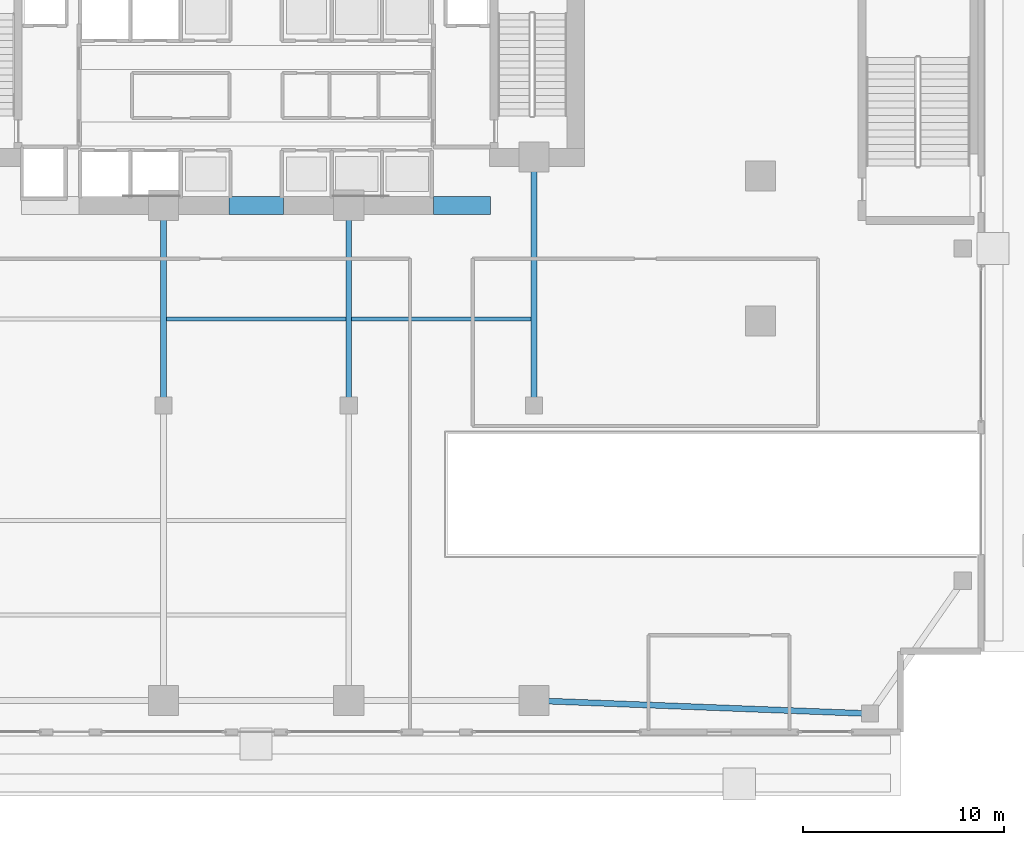
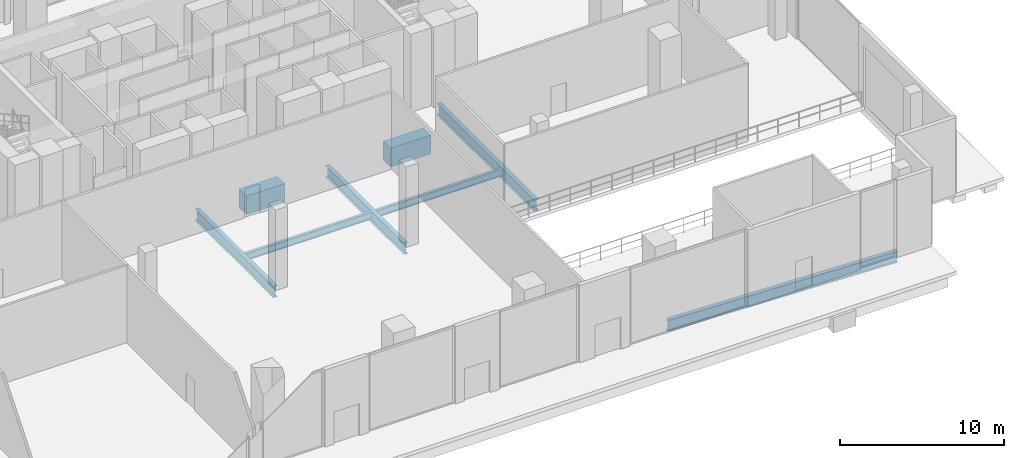
# One storey, part 11 of 39: 8 beams.
"""IFC4 building model written with IfcOpenShell, lengths in metres."""

import ifcopenshell
import ifcopenshell.guid

model = None  # the IFC model being written
_history = None  # IfcOwnerHistory: only IFC2X3 demands one
_inside = {}  # id of a spatial element -> (the spatial element, [elements in it])
_under = {}  # id of a project, library or spatial element -> (it, [spatial elements below it])
_declared = {}  # id of a project -> (the project, [libraries it declares])
_typed = {}  # id of a type object -> (the type object, [elements of that type])
_made_of = {}  # id of a material, layer set ... -> (it, [elements and type objects made of it])


def new_model(schema):
    """Start an empty IFC model of exactly this schema.

    Asked for "IFC4X3", IfcOpenShell would pick the latest addendum, in which some entities
    have other attributes; the version numbers below select the first issue.
    IFC2X3 requires an IfcOwnerHistory on every rooted entity: one is made here for all.
    """
    global model, _history
    if schema == "IFC4X3":
        model = ifcopenshell.file(schema_version=(4, 3, 0, 0))
    else:
        model = ifcopenshell.file(schema=schema)
    _inside.clear()
    _under.clear()
    _declared.clear()
    _typed.clear()
    _made_of.clear()
    _history = None
    if model.schema == "IFC2X3":
        org = make("IfcOrganization", Name="unknown")
        user = make(
            "IfcPersonAndOrganization",
            ThePerson=make("IfcPerson", FamilyName="unknown"),
            TheOrganization=org,
        )
        app = make(
            "IfcApplication",
            ApplicationDeveloper=org,
            Version="unknown",
            ApplicationFullName="unknown",
            ApplicationIdentifier="unknown",
        )
        _history = make(
            "IfcOwnerHistory",
            OwningUser=user,
            OwningApplication=app,
            ChangeAction="ADDED",
            CreationDate=0,
        )
    return model


def make(cls, **values):
    """One entity of the class cls with the attributes given. An attribute that is None is left unset."""
    return model.create_entity(
        cls, **{name: value for name, value in values.items() if value is not None}
    )


def rooted(cls, **values):
    """An entity with a GlobalId (a new one), such as an element, a storey or a relation."""
    return make(cls, GlobalId=ifcopenshell.guid.new(), OwnerHistory=_history, **values)


def si_unit(unit_type, name, prefix=None):
    """IfcSIUnit, for example si_unit("LENGTHUNIT", "METRE", prefix="MILLI")."""
    return make("IfcSIUnit", UnitType=unit_type, Prefix=prefix, Name=name)


def assignment(units):
    """IfcUnitAssignment: the units of a project."""
    return None if units is None else make("IfcUnitAssignment", Units=units)


def point(xyz):
    """IfcCartesianPoint."""
    return None if xyz is None else make("IfcCartesianPoint", Coordinates=xyz)


def direction(xyz):
    """IfcDirection."""
    return None if xyz is None else make("IfcDirection", DirectionRatios=xyz)


def frame(location, z_axis=None, x_axis=None):
    """IfcAxis2Placement3D, a coordinate frame: its origin and axes. An axis left out is left unset."""
    return make(
        "IfcAxis2Placement3D",
        Location=point(location),
        Axis=direction(z_axis),
        RefDirection=direction(x_axis),
    )


def frame_2d(location, x_axis=None):
    """IfcAxis2Placement2D, a coordinate frame in the plane: its origin and x axis."""
    return make(
        "IfcAxis2Placement2D", Location=point(location), RefDirection=direction(x_axis)
    )


def origin():
    """The frame at (0, 0, 0) with its axes left unset."""
    return frame((0.0, 0.0, 0.0))


def origin_2d():
    """The frame at (0, 0) in the plane with its x axis left unset."""
    return frame_2d((0.0, 0.0))


def place(relative_to, where):
    """IfcLocalPlacement: puts the frame where relative to a parent placement (None: the world)."""
    return make(
        "IfcLocalPlacement", PlacementRelTo=relative_to, RelativePlacement=where
    )


def context(
    kind, dimensions, precision=None, world=None, true_north=None, identifier=None
):
    """IfcGeometricRepresentationContext, for example the 3D "Model" context."""
    return make(
        "IfcGeometricRepresentationContext",
        ContextIdentifier=identifier,
        ContextType=kind,
        CoordinateSpaceDimension=dimensions,
        Precision=precision,
        WorldCoordinateSystem=world,
        TrueNorth=true_north,
    )


def subcontext(parent, identifier, kind, view, scale=None):
    """IfcGeometricRepresentationSubContext, for example "Body" below "Model"."""
    return make(
        "IfcGeometricRepresentationSubContext",
        ContextIdentifier=identifier,
        ContextType=kind,
        ParentContext=parent,
        TargetScale=scale,
        TargetView=view,
    )


def project(units=None, contexts=None):
    """IfcProject with its units and contexts."""
    return rooted(
        "IfcProject",
        Name="project",
        RepresentationContexts=contexts,
        UnitsInContext=assignment(units),
    )


def spatial(cls, under=None, at=None, **own):
    """A site, building, storey or space (cls), placed at a placement, below another one or the project."""
    s = rooted(cls, ObjectPlacement=at, **own)
    if under is not None:
        _under.setdefault(under.id(), (under, []))[1].append(s)
    return s


def profile(cls, at=None, kind="AREA", **sizes):
    """A parametric profile (cls). Its sizes go by their IFC names, for example OverallWidth=200.0."""
    return make(cls, ProfileType=kind, Position=at, **sizes)


def rectangle(**sizes):
    """IfcRectangleProfileDef."""
    return profile("IfcRectangleProfileDef", **sizes)


def i_section(**sizes):
    """IfcIShapeProfileDef."""
    return profile("IfcIShapeProfileDef", **sizes)


def extrude(swept, where, along, depth):
    """IfcExtrudedAreaSolid: the profile swept, set in the frame where, extruded along a direction by depth."""
    return make(
        "IfcExtrudedAreaSolid",
        SweptArea=swept,
        Position=where,
        ExtrudedDirection=direction(along),
        Depth=depth,
    )


def shape(context_of_items, identifier, shape_type, items):
    """IfcShapeRepresentation: the items that make up one representation, for example the "Body"."""
    return make(
        "IfcShapeRepresentation",
        ContextOfItems=context_of_items,
        RepresentationIdentifier=identifier,
        RepresentationType=shape_type,
        Items=items,
    )


def material(Name=None, Category=None):
    """IfcMaterial."""
    return make("IfcMaterial", Name=Name, Category=Category)


def material_profile(
    of_material, cross_section, Name=None, Category=None, Priority=None
):
    """IfcMaterialProfile: a cross section and its material."""
    return make(
        "IfcMaterialProfile",
        Name=Name,
        Material=of_material,
        Profile=cross_section,
        Priority=Priority,
        Category=Category,
    )


def profile_set(profiles, Name=None, composite=None):
    """IfcMaterialProfileSet."""
    return make(
        "IfcMaterialProfileSet",
        Name=Name,
        MaterialProfiles=profiles,
        CompositeProfile=composite,
    )


def made_of(thing, what):
    """Note that an element or type object is made of a material, layer set ...; save() writes the relation."""
    if what is not None:
        _made_of.setdefault(what.id(), (what, []))[1].append(thing)
    return thing


def type_object(cls, material=None, **own):
    """A type object (cls), such as IfcWallType, which elements share."""
    return made_of(rooted(cls, **own), material)


def element(
    cls,
    number,
    at=None,
    inside=None,
    cuts=None,
    type_object=None,
    material=None,
    context=None,
    identifier="Body",
    shape_type=None,
    held_by="IfcProductDefinitionShape",
    body=None,
    shapes=None,
    **own,
):
    """One element of the class cls, such as IfcWall. Its Tag is "e" and its number.

    at: its placement. inside: the storey or other place that contains it. cuts: it is an
    opening in that element (IfcRelVoidsElement). A single representation is given by context,
    identifier, shape_type and body (its items); several are given by shapes. held_by: the class
    of the entity that holds the representations. save() writes the other relations.
    """
    e = rooted(cls, Tag="e%d" % number, ObjectPlacement=at, **own)
    if body is not None:
        shapes = [shape(context, identifier, shape_type, body)]
    if shapes is not None:
        e.Representation = make(held_by, Representations=shapes)
    if inside is not None:
        _inside.setdefault(inside.id(), (inside, []))[1].append(e)
    if cuts is not None:
        rooted(
            "IfcRelVoidsElement", RelatingBuildingElement=cuts, RelatedOpeningElement=e
        )
    if type_object is not None:
        _typed.setdefault(type_object.id(), (type_object, []))[1].append(e)
    return made_of(e, material)


def aggregate(whole, parts):
    """IfcRelAggregates: a whole, such as a stair, and the parts it consists of."""
    return rooted("IfcRelAggregates", RelatingObject=whole, RelatedObjects=parts)


def save(model, path):
    """Write the relations noted so far, then the file.

    IfcRelAggregates (storeys below a building ...), IfcRelContainedInSpatialStructure (elements
    in a storey), IfcRelDefinesByType, IfcRelAssociatesMaterial and IfcRelDeclares: one each for
    every whole, place, type object, material and project.
    """
    for whole, parts in _under.values():
        aggregate(whole, parts)
    for where, things in _inside.values():
        rooted(
            "IfcRelContainedInSpatialStructure",
            RelatedElements=things,
            RelatingStructure=where,
        )
    for kind, things in _typed.values():
        rooted("IfcRelDefinesByType", RelatedObjects=things, RelatingType=kind)
    for what, things in _made_of.values():
        rooted("IfcRelAssociatesMaterial", RelatedObjects=things, RelatingMaterial=what)
    for by, libraries in _declared.values():
        rooted("IfcRelDeclares", RelatingContext=by, RelatedDefinitions=libraries)
    model.write(path)


model = new_model("IFC4")

# Units and contexts
model_context = context("Model", 3, precision=1e-05, world=origin(), true_north=direction((0.0, 1.0)))
body_context = subcontext(model_context, "Body", "Model", "MODEL_VIEW")
ifc_project = project(units=[si_unit("LENGTHUNIT", "METRE"), si_unit("AREAUNIT", "SQUARE_METRE"), si_unit("VOLUMEUNIT", "CUBIC_METRE"), si_unit("PLANEANGLEUNIT", "RADIAN"), si_unit("MASSUNIT", "GRAM", prefix="KILO")], contexts=[model_context])

# Site, building, storey
site_placement = place(None, origin())
site = spatial("IfcSite", under=ifc_project, at=site_placement, CompositionType="ELEMENT")
building_placement = place(site_placement, origin())
building = spatial("IfcBuilding", under=site, at=building_placement, Name="Zuhayl Quay Hotel", CompositionType="ELEMENT")
storey_placement = place(building_placement, origin())
storey = spatial("IfcBuildingStorey", under=building, at=storey_placement, Name="L00", CompositionType="ELEMENT", Elevation=0.0)

# Beams
ifc_material_1 = material(Name="Concrete C60/75", Category="concrete")
ifc_material_profile_1 = material_profile(ifc_material_1, rectangle(XDim=0.89990234375, YDim=1.39990234375, at=origin_2d()), Name="RC900X1400")
ifc_profile_set_1 = profile_set([ifc_material_profile_1], Name="Concrete C60/75")
beam_type_1 = type_object("IfcBeamType", Name="BM_CB1_RC900", PredefinedType="T_BEAM", material=ifc_profile_set_1)
beam_1_placement = place(storey_placement, frame((8.800048828125, 2.14990234375, -0.9599609375), z_axis=(1.0, 0.0, 0.0), x_axis=(0.0, 1.0, 0.0)))
element("IfcBeam", 1, at=beam_1_placement, inside=storey, type_object=beam_type_1, Name="L00 Core Coupling Beam SE", PredefinedType="T_BEAM", context=body_context, shape_type="SweptSolid", body=[
    extrude(rectangle(XDim=0.89990234375, YDim=1.39990234375, at=origin_2d()), origin(), (0.0, 0.0, 1.0), 2.849853515625),
])
beam_2_placement = place(storey_placement, frame((-1.35009765625, 2.14990234375, -0.9599609375), z_axis=(1.0, 0.0, 0.0), x_axis=(0.0, 1.0, 0.0)))
element("IfcBeam", 2, at=beam_2_placement, inside=storey, type_object=beam_type_1, Name="L00 Core Coupling Beam South", PredefinedType="T_BEAM", context=body_context, shape_type="SweptSolid", body=[
    extrude(rectangle(XDim=0.89990234375, YDim=1.39990234375, at=origin_2d()), origin(), (0.0, 0.0, 1.0), 2.7001953125),
])
ifc_material_2 = material(Name="Steel ASTM A992 Grade 50", Category="steel")
ifc_material_profile_2 = material_profile(ifc_material_2, i_section(OverallWidth=0.208984375, OverallDepth=0.532958984375, WebThickness=0.01025390625, FlangeThickness=0.015625, at=origin_2d()), Name="W21X62")
ifc_profile_set_2 = profile_set([ifc_material_profile_2], Name="Steel ASTM A992 Grade 50")
beam_type_2 = type_object("IfcBeamType", Name="BM_J1_W21X62", PredefinedType="JOIST", material=ifc_profile_set_2)
beam_3_placement = place(storey_placement, frame((-4.4619140625, -3.5, -0.526611328125), z_axis=(1.0, 0.0, 0.0), x_axis=(0.0, 1.0, 0.0)))
element("IfcBeam", 3, at=beam_3_placement, inside=storey, type_object=beam_type_2, Name="L00 Floor Beam J_POD_L00_3_2", PredefinedType="JOIST", context=body_context, shape_type="SweptSolid", body=[
    extrude(i_section(OverallWidth=0.208984375, OverallDepth=0.532958984375, WebThickness=0.01025390625, FlangeThickness=0.015625, at=origin_2d()), origin(), (0.0, 0.0, 1.0), 8.923828125),
])
beam_4_placement = place(storey_placement, frame((4.738037109375, -3.5, -0.526611328125), z_axis=(1.0, 0.0, 0.0), x_axis=(0.0, 1.0, 0.0)))
element("IfcBeam", 4, at=beam_4_placement, inside=storey, type_object=beam_type_2, Name="L00 Floor Beam J_POD_L00_3_3", PredefinedType="JOIST", context=body_context, shape_type="SweptSolid", body=[
    extrude(i_section(OverallWidth=0.208984375, OverallDepth=0.532958984375, WebThickness=0.01025390625, FlangeThickness=0.015625, at=origin_2d()), origin(), (0.0, 0.0, 1.0), 8.924072265625),
])
ifc_material_profile_3 = material_profile(ifc_material_2, i_section(OverallWidth=0.2919921875, OverallDepth=0.845947265625, WebThickness=0.015380859375, FlangeThickness=0.0244140625, at=origin_2d()), Name="W33X141")
ifc_profile_set_3 = profile_set([ifc_material_profile_3], Name="Steel ASTM A992 Grade 50")
beam_type_3 = type_object("IfcBeamType", Name="BM_PG3_W33X141", PredefinedType="BEAM", material=ifc_profile_set_3)
beam_5_placement = place(storey_placement, frame((14.349609375, -22.471435546875, -0.68310546875), z_axis=(0.999243175194, -0.038898288239, 0.0), x_axis=(0.038898288239, 0.999243175194, 0.0)))
element("IfcBeam", 5, at=beam_5_placement, inside=storey, type_object=beam_type_3, Name="L00 Floor Beam PG_S_L00_4", PredefinedType="BEAM", context=body_context, shape_type="SweptSolid", body=[
    extrude(i_section(OverallWidth=0.2919921875, OverallDepth=0.845947265625, WebThickness=0.015380859375, FlangeThickness=0.0244140625, at=origin_2d()), origin(), (0.0, 0.0, 1.0), 15.82275390625),
])
for number, where, z_axis, x_axis, name in (
    (6, (-4.60009765625, -7.449951171875, -0.68310546875), (0.0, 1.0, 0.0), (-1.0, 0.0, 0.0), "L00 Floor Beam PG_NS2_L00_2"),
    (7, (4.60009765625, -7.449951171875, -0.68310546875), (0.0, 1.0, 0.0), (-1.0, 0.0, 0.0), "L00 Floor Beam PG_NS2_L00_3"),
):
    element("IfcBeam", number, at=place(storey_placement, frame(where, z_axis=z_axis, x_axis=x_axis)), inside=storey, type_object=beam_type_3, Name=name, PredefinedType="BEAM", context=body_context, shape_type="SweptSolid", body=[
        extrude(i_section(OverallWidth=0.2919921875, OverallDepth=0.845947265625, WebThickness=0.015380859375, FlangeThickness=0.0244140625, at=origin_2d()), origin(), (0.0, 0.0, 1.0), 9.550048828125),
    ])
beam_6_placement = place(storey_placement, frame((13.800048828125, -7.449951171875, -0.68310546875), z_axis=(0.0, 1.0, 0.0), x_axis=(-1.0, 0.0, 0.0)))
element("IfcBeam", 8, at=beam_6_placement, inside=storey, type_object=beam_type_3, Name="L00 Floor Beam PG_NS2_L00_4", PredefinedType="BEAM", context=body_context, shape_type="SweptSolid", body=[
    extrude(i_section(OverallWidth=0.2919921875, OverallDepth=0.845947265625, WebThickness=0.015380859375, FlangeThickness=0.0244140625, at=origin_2d()), origin(), (0.0, 0.0, 1.0), 11.89990234375),
])

save(model, "model.ifc")
